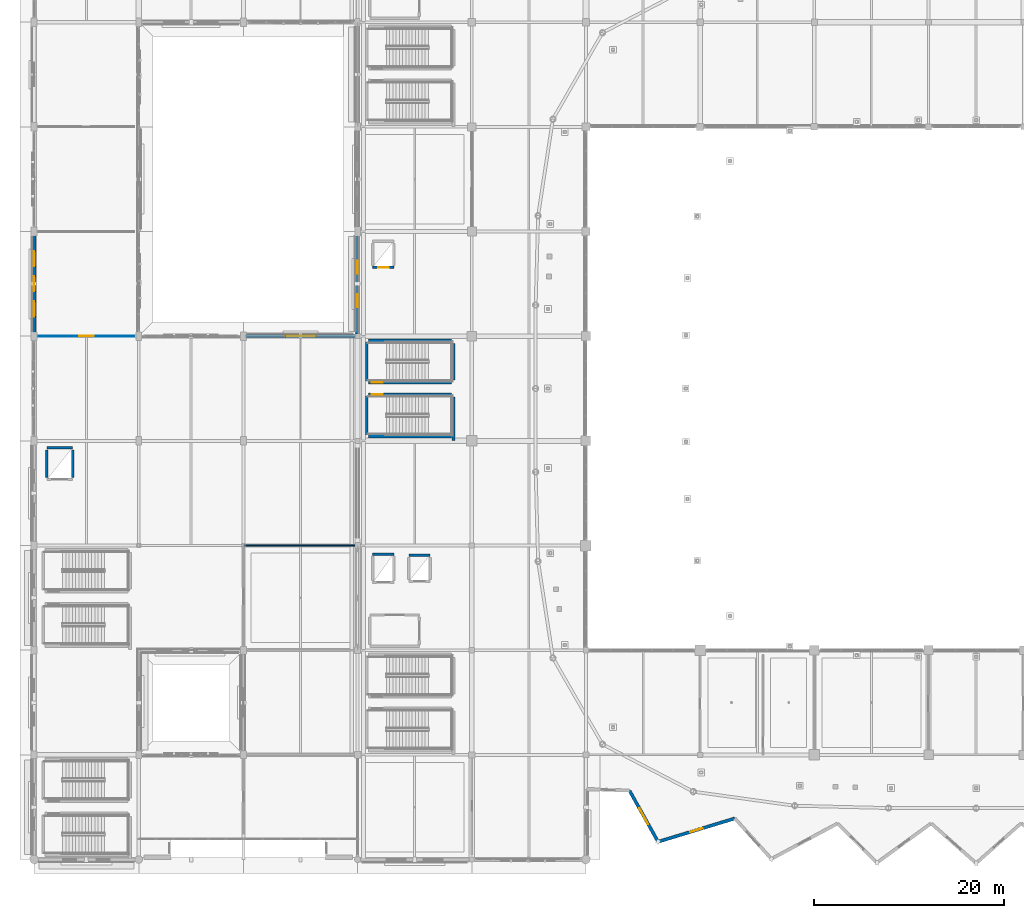
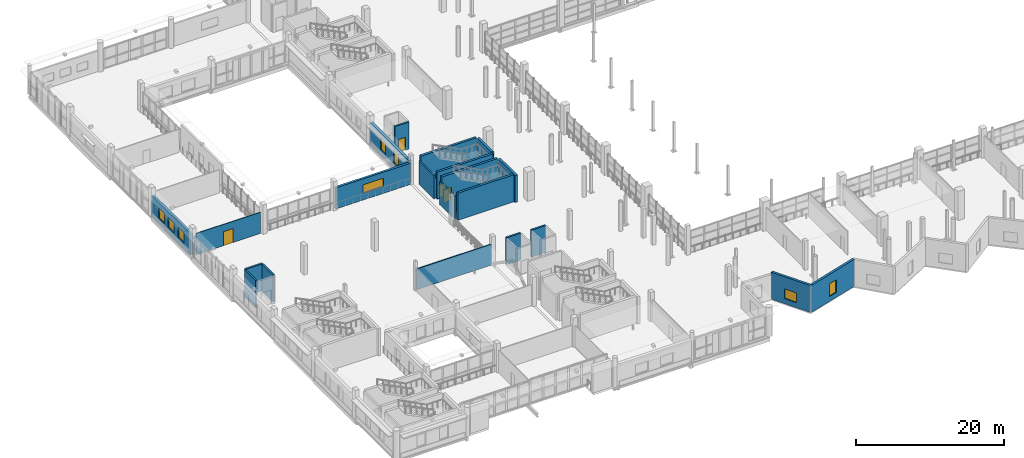
# One storey, part 92 of 143: 21 walls, 8 windows, 4 doors, 12 openings.
"""IFC4 building model written with IfcOpenShell, lengths in metres."""

from ifc_helpers import new_model, si_unit, direction, frame, frame_2d, origin, place, context, subcontext, project, spatial, rectangle, extrude, material, layer, layer_set, type_object, element, fill, save


model = new_model("IFC4")

# Units and contexts
model_context = context("Model", 3, precision=1e-05, world=origin(), true_north=direction((0.0, 1.0)))
body_context = subcontext(model_context, "Body", "Model", "MODEL_VIEW")
ifc_project = project(units=[si_unit("LENGTHUNIT", "METRE"), si_unit("AREAUNIT", "SQUARE_METRE"), si_unit("VOLUMEUNIT", "CUBIC_METRE"), si_unit("PLANEANGLEUNIT", "RADIAN"), si_unit("MASSUNIT", "GRAM", prefix="KILO")], contexts=[model_context])

# Site, building, storey
site_placement = place(None, origin())
site = spatial("IfcSite", under=ifc_project, at=site_placement, CompositionType="ELEMENT")
building_placement = place(site_placement, origin())
building = spatial("IfcBuilding", under=site, at=building_placement, Name="Luwafu Chhajja Arena", CompositionType="ELEMENT")
storey_placement = place(building_placement, frame((0.0, 0.0, 5.39990234375)))
storey = spatial("IfcBuildingStorey", under=building, at=storey_placement, Name="L01", CompositionType="ELEMENT", Elevation=5.39990234375)

# Wall, opening, door
ifc_material_1 = material(Name="Gypsum plasterboard partition")
ifc_layer_1 = layer(ifc_material_1, 0.10009765625, Name="Gypsum plasterboard partition")
ifc_layer_set_1 = layer_set([ifc_layer_1], Name="Gypsum plasterboard partition")
wall_type_1 = type_object("IfcWallType", Name="Drywall Lining Partition 100", PredefinedType="PARTITIONING", material=ifc_layer_set_1)
wall_1_placement = place(storey_placement, frame((0.47998046875, 55.0, 0.0), z_axis=(0.0, 0.0, 1.0), x_axis=(1.0, 0.0, 0.0)))
wall_1 = element("IfcWall", 1, at=wall_1_placement, inside=storey, type_object=wall_type_1, Name="L01 Internal Partition 0215", PredefinedType="PARTITIONING", context=body_context, shape_type="SweptSolid", body=[
    extrude(rectangle(XDim=10.0400390625, YDim=0.10009765625, at=frame_2d((5.02001953125, 0.0))), origin(), (0.0, 0.0, 1.0), 3.489990234375),
])
opening_1_placement = place(wall_1_placement, frame((4.27001953125, 0.0, 0.0)))
opening_1 = element("IfcOpeningElement", 2, at=opening_1_placement, cuts=wall_1, Name="Opening DR-30", PredefinedType="OPENING", context=body_context, shape_type="SweptSolid", body=[
    extrude(rectangle(XDim=1.5, YDim=2.300048828125, at=frame_2d((0.75, 1.14990234375))), frame((0.0, 0.06005859375, 0.0), z_axis=(0.0, -1.0, 0.0), x_axis=(1.0, 0.0, 0.0)), (0.0, 0.0, 1.0), 0.1201171875),
])
ifc_material_2 = material(Name="Anodised bronze glazed double door")
door_type_1 = type_object("IfcDoorType", Name="DR-30", OperationType="DOUBLE_DOOR_SINGLE_SWING", PredefinedType="DOOR", material=ifc_material_2)
door_1_placement = place(opening_1_placement, origin())
door_1 = element("IfcDoor", 3, at=door_1_placement, inside=storey, type_object=door_type_1, Name="L01 Interior Door L01-D029", OperationType="DOUBLE_DOOR_SINGLE_SWING", OverallHeight=2.300048828125, OverallWidth=1.5, PredefinedType="DOOR", context=body_context, shape_type="SweptSolid", body=[
    extrude(rectangle(XDim=1.5, YDim=2.300048828125, at=frame_2d((0.75, 1.14990234375))), frame((0.0, 0.02490234375, 0.0), z_axis=(0.0, -1.0, 0.0), x_axis=(1.0, 0.0, 0.0)), (0.0, 0.0, 1.0), 0.050048828125),
])
fill(opening_1, door_1)

# Walls
ifc_material_3 = material(Name="Acoustic metal-stud gypsum board")
ifc_layer_2 = layer(ifc_material_3, 0.1201171875, Name="Acoustic metal-stud gypsum board")
ifc_layer_set_2 = layer_set([ifc_layer_2], Name="Acoustic metal-stud gypsum board")
wall_type_2 = type_object("IfcWallType", Name="Internal Room Partition 120", PredefinedType="PARTITIONING", material=ifc_layer_set_2)
wall_2_placement = place(storey_placement, frame((22.159912109375, 33.0, 0.0), z_axis=(0.0, 0.0, 1.0), x_axis=(1.0, 0.0, 0.0)))
element("IfcWall", 4, at=wall_2_placement, inside=storey, type_object=wall_type_2, Name="L01 Internal Partition 0221", PredefinedType="PARTITIONING", context=body_context, shape_type="SweptSolid", body=[
    extrude(rectangle(XDim=11.6201171875, YDim=0.1201171875, at=frame_2d((5.81005859375, 0.0))), origin(), (0.0, 0.0, 1.0), 3.440185546875),
])
ifc_material_4 = material(Name="Concrete C35/45", Category="concrete")
ifc_layer_3 = layer(ifc_material_4, 0.260009765625, Name="Concrete C35/45")
ifc_layer_set_3 = layer_set([ifc_layer_3], Name="Concrete C35/45")
wall_type_3 = type_object("IfcWallType", Name="Lift and Riser Shaft Wall 260", PredefinedType="SOLIDWALL", material=ifc_layer_set_3)
wall_3_placement = place(storey_placement, frame((35.590087890625, 32.0849609375, 0.0), z_axis=(0.0, 0.0, 1.0), x_axis=(1.0, 0.0, 0.0)))
element("IfcWall", 5, at=wall_3_placement, inside=storey, type_object=wall_type_3, Name="L01 Lift LF-01 Shaft Wall N", PredefinedType="SOLIDWALL", context=body_context, shape_type="SweptSolid", body=[
    extrude(rectangle(XDim=2.219970703125, YDim=0.260009765625, at=frame_2d((1.10986328125, 0.0))), origin(), (0.0, 0.0, 1.0), 4.460205078125),
])
wall_4_placement = place(storey_placement, frame((39.389892578125, 31.9599609375, 0.0), z_axis=(0.0, 0.0, 1.0), x_axis=(1.0, 0.0, 0.0)))
element("IfcWall", 6, at=wall_4_placement, inside=storey, type_object=wall_type_3, Name="L01 Lift LF-05 Shaft Wall N", PredefinedType="SOLIDWALL", context=body_context, shape_type="SweptSolid", body=[
    extrude(rectangle(XDim=2.22021484375, YDim=0.260009765625, at=frame_2d((1.110107421875, 0.0))), origin(), (0.0, 0.0, 1.0), 4.460205078125),
])

# Wall, opening, door
wall_5_placement = place(storey_placement, frame((35.590087890625, 62.239990234375, 0.0), z_axis=(0.0, 0.0, 1.0), x_axis=(1.0, 0.0, 0.0)))
wall_5 = element("IfcWall", 7, at=wall_5_placement, inside=storey, type_object=wall_type_3, Name="L01 Lift LF-09 Shaft Wall S", PredefinedType="SOLIDWALL", context=body_context, shape_type="SweptSolid", body=[
    extrude(rectangle(XDim=2.219970703125, YDim=0.260009765625, at=frame_2d((1.10986328125, 0.0))), origin(), (0.0, 0.0, 1.0), 4.460205078125),
])
opening_2_placement = place(wall_5_placement, frame((0.56005859375, 0.0, 0.0)))
opening_2 = element("IfcOpeningElement", 8, at=opening_2_placement, cuts=wall_5, Name="Opening LD-01", PredefinedType="OPENING", context=body_context, shape_type="SweptSolid", body=[
    extrude(rectangle(XDim=1.10009765625, YDim=2.14990234375, at=frame_2d((0.550048828125, 1.074951171875))), frame((0.0, 0.139892578125, 0.0), z_axis=(0.0, -1.0, 0.0), x_axis=(1.0, 0.0, 0.0)), (0.0, 0.0, 1.0), 0.280029296875),
])
ifc_material_5 = material(Name="Brushed stainless steel sliding leaves", Category="steel")
door_type_2 = type_object("IfcDoorType", Name="LD-01", OperationType="SLIDING_TO_LEFT", PredefinedType="DOOR", material=ifc_material_5)
door_2_placement = place(opening_2_placement, origin())
door_2 = element("IfcDoor", 9, at=door_2_placement, inside=storey, type_object=door_type_2, Name="L01 Lift LF-09 Landing Door L01-LD09", OperationType="SLIDING_TO_LEFT", OverallHeight=2.14990234375, OverallWidth=1.10009765625, PredefinedType="DOOR", context=body_context, shape_type="SweptSolid", body=[
    extrude(rectangle(XDim=1.10009765625, YDim=2.14990234375, at=frame_2d((0.550048828125, 1.074951171875))), frame((0.0, 0.02490234375, 0.0), z_axis=(0.0, -1.0, 0.0), x_axis=(1.0, 0.0, 0.0)), (0.0, 0.0, 1.0), 0.050048828125),
])
fill(opening_2, door_2)

# Walls
wall_6_placement = place(storey_placement, frame((1.340087890625, 43.260009765625, 0.0), z_axis=(0.0, 0.0, 1.0), x_axis=(1.0, 0.0, 0.0)))
element("IfcWall", 10, at=wall_6_placement, inside=storey, type_object=wall_type_3, Name="L01 Lift LF-11 Shaft Wall N", PredefinedType="SOLIDWALL", context=body_context, shape_type="SweptSolid", body=[
    extrude(rectangle(XDim=2.719970703125, YDim=0.260009765625, at=frame_2d((1.35986328125, 0.0))), origin(), (0.0, 0.0, 1.0), 4.460205078125),
])
for number, where, z_axis, x_axis, name in (
    (11, (1.340087890625, 40.139892578125, 0.0), (0.0, 0.0, 1.0), (0.0, 1.0, 0.0), "L01 Lift LF-11 Shaft Wall W"),
    (12, (4.06005859375, 40.139892578125, 0.0), (0.0, 0.0, 1.0), (0.0, 1.0, 0.0), "L01 Lift LF-11 Shaft Wall E"),
):
    element("IfcWall", number, at=place(storey_placement, frame(where, z_axis=z_axis, x_axis=x_axis)), inside=storey, type_object=wall_type_3, Name=name, PredefinedType="SOLIDWALL", context=body_context, shape_type="SweptSolid", body=[
        extrude(rectangle(XDim=2.920166015625, YDim=0.260009765625, at=frame_2d((1.4599609375, 0.0))), origin(), (0.0, 0.0, 1.0), 4.460205078125),
    ])

# Wall, opening, window
ifc_material_6 = material(Name="Precast concrete C40/50", Category="concrete")
ifc_layer_4 = layer(ifc_material_6, 0.340087890625, Name="Precast concrete C40/50")
ifc_layer_set_4 = layer_set([ifc_layer_4], Name="Precast concrete C40/50")
wall_type_4 = type_object("IfcWallType", Name="Pleated Bowl V-Fold Wall 340", PredefinedType="USERDEFINED", material=ifc_layer_set_4)
wall_7_placement = place(storey_placement, frame((62.57421875, 7.23681640625, 0.0), z_axis=(0.0, 0.0, 1.0), x_axis=(0.487306352228, -0.87323108, 0.0)))
wall_7 = element("IfcWall", 13, at=wall_7_placement, inside=storey, type_object=wall_type_4, Name="L01 Pleated Bowl V-Fold Wall 42", ObjectType="PLEATED FACADE WALL", PredefinedType="USERDEFINED", context=body_context, shape_type="SweptSolid", body=[
    extrude(rectangle(XDim=6.15283203125, YDim=0.340087890625, at=frame_2d((3.076416015625, 0.0))), origin(), (0.0, 0.0, 1.0), 4.455078125),
])
opening_3_placement = place(wall_7_placement, frame((2.12646484375, 0.0, 0.85009765625)))
opening_3 = element("IfcOpeningElement", 14, at=opening_3_placement, cuts=wall_7, Name="Opening WN-15", PredefinedType="OPENING", context=body_context, shape_type="SweptSolid", body=[
    extrude(rectangle(XDim=1.89990234375, YDim=1.60009765625, at=frame_2d((0.949951171875, 0.800048828125))), frame((0.0, 0.179931640625, 0.0), z_axis=(0.0, -1.0, 0.0), x_axis=(1.0, 0.0, 0.0)), (0.0, 0.0, 1.0), 0.360107421875),
])
ifc_material_7 = material(Name="Solar-control laminated glass", Category="glass")
window_type_1 = type_object("IfcWindowType", Name="Pleated Drum Inward-Fold Clerestory 1900x1600", PartitioningType="SINGLE_PANEL", PredefinedType="WINDOW", material=ifc_material_7)
window_1_placement = place(opening_3_placement, origin())
window_1 = element("IfcWindow", 15, at=window_1_placement, inside=storey, type_object=window_type_1, Name="L01 Pleated Bowl Lancet Window 004", OverallHeight=1.60009765625, OverallWidth=1.89990234375, PartitioningType="SINGLE_PANEL", PredefinedType="WINDOW", context=body_context, shape_type="SweptSolid", body=[
    extrude(rectangle(XDim=1.89990234375, YDim=1.60009765625, at=frame_2d((0.949951171875, 0.800048828125))), frame((0.0, 0.030029296875, 0.0), z_axis=(0.0, -1.0, 0.0), x_axis=(1.0, 0.0, 0.0)), (0.0, 0.0, 1.0), 0.06005859375),
])
fill(opening_3, window_1)

wall_8_placement = place(storey_placement, frame((65.572509765625, 1.864013671875, 0.0), z_axis=(0.0, 0.0, 1.0), x_axis=(0.956738407321, 0.290949514446, 0.0)))
wall_8 = element("IfcWall", 16, at=wall_8_placement, inside=storey, type_object=wall_type_4, Name="L01 Pleated Bowl V-Fold Wall 43", ObjectType="PLEATED FACADE WALL", PredefinedType="USERDEFINED", context=body_context, shape_type="SweptSolid", body=[
    extrude(rectangle(XDim=8.427978515625, YDim=0.340087890625, at=frame_2d((4.2138671875, 0.0))), origin(), (0.0, 0.0, 1.0), 4.455078125),
])
opening_4_placement = place(wall_8_placement, frame((3.5390625, 0.0, 0.800048828125)))
opening_4 = element("IfcOpeningElement", 17, at=opening_4_placement, cuts=wall_8, Name="Opening WN-17", PredefinedType="OPENING", context=body_context, shape_type="SweptSolid", body=[
    extrude(rectangle(XDim=1.35009765625, YDim=2.10009765625, at=frame_2d((0.675048828125, 1.050048828125))), frame((0.0, 0.179931640625, 0.0), z_axis=(0.0, -1.0, 0.0), x_axis=(1.0, 0.0, 0.0)), (0.0, 0.0, 1.0), 0.360107421875),
])
window_type_2 = type_object("IfcWindowType", Name="Exhibition Mezzanine Lancet Window 1350x2100", PartitioningType="SINGLE_PANEL", PredefinedType="WINDOW", material=ifc_material_7)
window_2_placement = place(opening_4_placement, origin())
window_2 = element("IfcWindow", 18, at=window_2_placement, inside=storey, type_object=window_type_2, Name="L01 Pleated Bowl Lancet Window 005", OverallHeight=2.10009765625, OverallWidth=1.35009765625, PartitioningType="SINGLE_PANEL", PredefinedType="WINDOW", context=body_context, shape_type="SweptSolid", body=[
    extrude(rectangle(XDim=1.35009765625, YDim=2.10009765625, at=frame_2d((0.675048828125, 1.050048828125))), frame((0.0, 0.030029296875, 0.0), z_axis=(0.0, -1.0, 0.0), x_axis=(1.0, 0.0, 0.0)), (0.0, 0.0, 1.0), 0.06005859375),
])
fill(opening_4, window_2)

# Walls
ifc_material_8 = material(Name="Concrete C40/50", Category="concrete")
ifc_layer_5 = layer(ifc_material_8, 0.35009765625, Name="Concrete C40/50")
ifc_layer_set_5 = layer_set([ifc_layer_5], Name="Concrete C40/50")
wall_type_5 = type_object("IfcWallType", Name="RC Core Shear Wall 350", PredefinedType="SOLIDWALL", material=ifc_layer_set_5)
wall_9_placement = place(storey_placement, frame((44.072021484375, 44.050048828125, 0.0), z_axis=(0.0, 0.0, 1.0), x_axis=(0.0, 1.0, 0.0)))
element("IfcWall", 19, at=wall_9_placement, inside=storey, type_object=wall_type_5, Name="L01 Stair ST-09 Core Shear Wall E", PredefinedType="SOLIDWALL", context=body_context, shape_type="SweptSolid", body=[
    extrude(rectangle(XDim=4.5400390625, YDim=0.35009765625, at=frame_2d((2.27001953125, 0.0))), origin(), (0.0, 0.0, 1.0), 4.460205078125),
])
wall_10_placement = place(storey_placement, frame((35.14990234375, 44.47802734375, 0.0), z_axis=(0.0, 0.0, 1.0), x_axis=(1.0, 0.0, 0.0)))
element("IfcWall", 20, at=wall_10_placement, inside=storey, type_object=wall_type_5, Name="L01 Stair ST-09 Core Shear Wall S", PredefinedType="SOLIDWALL", context=body_context, shape_type="SweptSolid", body=[
    extrude(rectangle(XDim=8.7001953125, YDim=0.35009765625, at=frame_2d((4.35009765625, 0.0))), origin(), (0.0, 0.0, 1.0), 4.460205078125),
])

# Wall, opening, door
wall_11_placement = place(storey_placement, frame((35.14990234375, 48.862060546875, 0.0), z_axis=(0.0, 0.0, 1.0), x_axis=(1.0, 0.0, 0.0)))
wall_11 = element("IfcWall", 21, at=wall_11_placement, inside=storey, type_object=wall_type_5, Name="L01 Stair ST-09 Core Shear Wall N", PredefinedType="SOLIDWALL", context=body_context, shape_type="SweptSolid", body=[
    extrude(rectangle(XDim=8.7001953125, YDim=0.35009765625, at=frame_2d((4.35009765625, 0.0))), origin(), (0.0, 0.0, 1.0), 4.460205078125),
])
opening_5_placement = place(wall_11_placement, frame((0.35009765625, 0.0, 0.0)))
opening_5 = element("IfcOpeningElement", 22, at=opening_5_placement, cuts=wall_11, Name="Opening DR-06", PredefinedType="OPENING", context=body_context, shape_type="SweptSolid", body=[
    extrude(rectangle(XDim=1.14990234375, YDim=2.199951171875, at=frame_2d((0.574951171875, 1.10009765625))), frame((0.0, 0.18505859375, 0.0), z_axis=(0.0, -1.0, 0.0), x_axis=(1.0, 0.0, 0.0)), (0.0, 0.0, 1.0), 0.3701171875),
])
ifc_material_9 = material(Name="Fire-rated hardwood and steel core", Category="steel")
door_type_3 = type_object("IfcDoorType", Name="DR-06", OperationType="NOTDEFINED", PredefinedType="DOOR", material=ifc_material_9)
door_3_placement = place(opening_5_placement, origin())
door_3 = element("IfcDoor", 23, at=door_3_placement, inside=storey, type_object=door_type_3, Name="L01 Escape Stair ST-09 Fire Door L01-D017", OperationType="SINGLE_SWING_RIGHT", OverallHeight=2.199951171875, OverallWidth=1.14990234375, PredefinedType="DOOR", context=body_context, shape_type="SweptSolid", body=[
    extrude(rectangle(XDim=1.14990234375, YDim=2.199951171875, at=frame_2d((0.574951171875, 1.10009765625))), frame((0.0, 0.02490234375, 0.0), z_axis=(0.0, -1.0, 0.0), x_axis=(1.0, 0.0, 0.0)), (0.0, 0.0, 1.0), 0.050048828125),
])
fill(opening_5, door_3)

# Wall
wall_12_placement = place(storey_placement, frame((44.072021484375, 50.409912109375, 0.0), z_axis=(0.0, 0.0, 1.0), x_axis=(0.0, 1.0, 0.0)))
element("IfcWall", 24, at=wall_12_placement, inside=storey, type_object=wall_type_5, Name="L01 Stair ST-10 Core Shear Wall E", PredefinedType="SOLIDWALL", context=body_context, shape_type="SweptSolid", body=[
    extrude(rectangle(XDim=3.840087890625, YDim=0.35009765625, at=frame_2d((1.919921875, 0.0))), origin(), (0.0, 0.0, 1.0), 4.460205078125),
])

# Wall, opening, door
wall_13_placement = place(storey_placement, frame((35.14990234375, 50.137939453125, 0.0), z_axis=(0.0, 0.0, 1.0), x_axis=(1.0, 0.0, 0.0)))
wall_13 = element("IfcWall", 25, at=wall_13_placement, inside=storey, type_object=wall_type_5, Name="L01 Stair ST-10 Core Shear Wall S", PredefinedType="SOLIDWALL", context=body_context, shape_type="SweptSolid", body=[
    extrude(rectangle(XDim=8.7001953125, YDim=0.35009765625, at=frame_2d((4.35009765625, 0.0))), origin(), (0.0, 0.0, 1.0), 4.460205078125),
])
opening_6_placement = place(wall_13_placement, frame((0.35009765625, 0.0, 0.0)))
opening_6 = element("IfcOpeningElement", 26, at=opening_6_placement, cuts=wall_13, Name="Opening DR-06", PredefinedType="OPENING", context=body_context, shape_type="SweptSolid", body=[
    extrude(rectangle(XDim=1.14990234375, YDim=2.199951171875, at=frame_2d((0.574951171875, 1.10009765625))), frame((0.0, 0.18505859375, 0.0), z_axis=(0.0, -1.0, 0.0), x_axis=(1.0, 0.0, 0.0)), (0.0, 0.0, 1.0), 0.3701171875),
])
door_4_placement = place(opening_6_placement, origin())
door_4 = element("IfcDoor", 27, at=door_4_placement, inside=storey, type_object=door_type_3, Name="L01 Escape Stair ST-10 Fire Door L01-D018", OperationType="SINGLE_SWING_LEFT", OverallHeight=2.199951171875, OverallWidth=1.14990234375, PredefinedType="DOOR", context=body_context, shape_type="SweptSolid", body=[
    extrude(rectangle(XDim=1.14990234375, YDim=2.199951171875, at=frame_2d((0.574951171875, 1.10009765625))), frame((0.0, 0.02490234375, 0.0), z_axis=(0.0, -1.0, 0.0), x_axis=(1.0, 0.0, 0.0)), (0.0, 0.0, 1.0), 0.050048828125),
])
fill(opening_6, door_4)

# Wall
wall_14_placement = place(storey_placement, frame((35.14990234375, 54.52197265625, 0.0), z_axis=(0.0, 0.0, 1.0), x_axis=(1.0, 0.0, 0.0)))
element("IfcWall", 28, at=wall_14_placement, inside=storey, type_object=wall_type_5, Name="L01 Stair ST-10 Core Shear Wall N", PredefinedType="SOLIDWALL", context=body_context, shape_type="SweptSolid", body=[
    extrude(rectangle(XDim=8.7001953125, YDim=0.35009765625, at=frame_2d((4.35009765625, 0.0))), origin(), (0.0, 0.0, 1.0), 4.460205078125),
])

# Wall, openings, windows
ifc_layer_6 = layer(ifc_material_8, 0.39990234375, Name="Concrete C40/50")
ifc_layer_set_6 = layer_set([ifc_layer_6], Name="Concrete C40/50")
wall_type_6 = type_object("IfcWallType", Name="RC Core Shear Wall 400", PredefinedType="SOLIDWALL", material=ifc_layer_set_6)
wall_15_placement = place(storey_placement, frame((34.0, 55.2099609375, 0.0), z_axis=(0.0, 0.0, 1.0), x_axis=(0.0, 1.0, 0.0)))
wall_15 = element("IfcWall", 29, at=wall_15_placement, inside=storey, type_object=wall_type_6, Name="L01 Exterior Wall WEX-L01-120", PredefinedType="SOLIDWALL", context=body_context, shape_type="SweptSolid", body=[
    extrude(rectangle(XDim=10.570068359375, YDim=0.39990234375, at=frame_2d((5.28515625, 0.0))), origin(), (0.0, 0.0, 1.0), 3.64013671875),
])
opening_7_placement = place(wall_15_placement, frame((2.848388671875, 0.0, 0.800048828125)))
opening_7 = element("IfcOpeningElement", 30, at=opening_7_placement, cuts=wall_15, Name="Opening WN-17", PredefinedType="OPENING", context=body_context, shape_type="SweptSolid", body=[
    extrude(rectangle(XDim=1.35009765625, YDim=2.10009765625, at=frame_2d((0.675048828125, 1.050048828125))), frame((0.0, 0.2099609375, 0.0), z_axis=(0.0, -1.0, 0.0), x_axis=(1.0, 0.0, 0.0)), (0.0, 0.0, 1.0), 0.419921875),
])
opening_8_placement = place(wall_15_placement, frame((6.37158203125, 0.0, 0.800048828125)))
opening_8 = element("IfcOpeningElement", 31, at=opening_8_placement, cuts=wall_15, Name="Opening WN-17", PredefinedType="OPENING", context=body_context, shape_type="SweptSolid", body=[
    extrude(rectangle(XDim=1.35009765625, YDim=2.10009765625, at=frame_2d((0.675048828125, 1.050048828125))), frame((0.0, 0.2099609375, 0.0), z_axis=(0.0, -1.0, 0.0), x_axis=(1.0, 0.0, 0.0)), (0.0, 0.0, 1.0), 0.419921875),
])
window_3_placement = place(opening_7_placement, origin())
window_3 = element("IfcWindow", 32, at=window_3_placement, inside=storey, type_object=window_type_2, Name="L01 Facade Window 033", OverallHeight=2.10009765625, OverallWidth=1.35009765625, PartitioningType="SINGLE_PANEL", PredefinedType="WINDOW", context=body_context, shape_type="SweptSolid", body=[
    extrude(rectangle(XDim=1.35009765625, YDim=2.10009765625, at=frame_2d((0.675048828125, 1.050048828125))), frame((0.0, 0.030029296875, 0.0), z_axis=(0.0, -1.0, 0.0), x_axis=(1.0, 0.0, 0.0)), (0.0, 0.0, 1.0), 0.06005859375),
])
fill(opening_7, window_3)
window_4_placement = place(opening_8_placement, origin())
window_4 = element("IfcWindow", 33, at=window_4_placement, inside=storey, type_object=window_type_2, Name="L01 Facade Window 034", OverallHeight=2.10009765625, OverallWidth=1.35009765625, PartitioningType="SINGLE_PANEL", PredefinedType="WINDOW", context=body_context, shape_type="SweptSolid", body=[
    extrude(rectangle(XDim=1.35009765625, YDim=2.10009765625, at=frame_2d((0.675048828125, 1.050048828125))), frame((0.0, 0.030029296875, 0.0), z_axis=(0.0, -1.0, 0.0), x_axis=(1.0, 0.0, 0.0)), (0.0, 0.0, 1.0), 0.06005859375),
])
fill(opening_8, window_4)

ifc_layer_7 = layer(ifc_material_4, 0.360107421875, Name="Concrete C35/45")
ifc_layer_set_7 = layer_set([ifc_layer_7], Name="Concrete C35/45")
wall_type_7 = type_object("IfcWallType", Name="Sandstone Backed Exterior Wall 360", PredefinedType="SOLIDWALL", material=ifc_layer_set_7)
wall_16_placement = place(storey_placement, frame((0.0, 55.219970703125, 0.0), z_axis=(0.0, 0.0, 1.0), x_axis=(0.0, 1.0, 0.0)))
wall_16 = element("IfcWall", 34, at=wall_16_placement, inside=storey, type_object=wall_type_7, Name="L01 Exterior Wall WEX-L01-110", PredefinedType="SOLIDWALL", context=body_context, shape_type="SweptSolid", body=[
    extrude(rectangle(XDim=10.56005859375, YDim=0.360107421875, at=frame_2d((5.280029296875, 0.0))), origin(), (0.0, 0.0, 1.0), 3.489990234375),
])
opening_9_placement = place(wall_16_placement, frame((1.840087890625, 0.0, 0.89990234375)))
opening_9 = element("IfcOpeningElement", 35, at=opening_9_placement, cuts=wall_16, Name="Opening WN-13", PredefinedType="OPENING", context=body_context, shape_type="SweptSolid", body=[
    extrude(rectangle(XDim=1.60009765625, YDim=1.64990234375, at=frame_2d((0.800048828125, 0.824951171875))), frame((0.0, 0.18994140625, 0.0), z_axis=(0.0, -1.0, 0.0), x_axis=(1.0, 0.0, 0.0)), (0.0, 0.0, 1.0), 0.380126953125),
])
opening_10_placement = place(wall_16_placement, frame((4.47998046875, 0.0, 0.89990234375)))
opening_10 = element("IfcOpeningElement", 36, at=opening_10_placement, cuts=wall_16, Name="Opening WN-13", PredefinedType="OPENING", context=body_context, shape_type="SweptSolid", body=[
    extrude(rectangle(XDim=1.60009765625, YDim=1.64990234375, at=frame_2d((0.800048828125, 0.824951171875))), frame((0.0, 0.18994140625, 0.0), z_axis=(0.0, -1.0, 0.0), x_axis=(1.0, 0.0, 0.0)), (0.0, 0.0, 1.0), 0.380126953125),
])
opening_11_placement = place(wall_16_placement, frame((7.1201171875, 0.0, 0.89990234375)))
opening_11 = element("IfcOpeningElement", 37, at=opening_11_placement, cuts=wall_16, Name="Opening WN-13", PredefinedType="OPENING", context=body_context, shape_type="SweptSolid", body=[
    extrude(rectangle(XDim=1.60009765625, YDim=1.64990234375, at=frame_2d((0.800048828125, 0.824951171875))), frame((0.0, 0.18994140625, 0.0), z_axis=(0.0, -1.0, 0.0), x_axis=(1.0, 0.0, 0.0)), (0.0, 0.0, 1.0), 0.380126953125),
])
window_type_3 = type_object("IfcWindowType", Name="Administration Office Window 1600x1650", PartitioningType="SINGLE_PANEL", PredefinedType="WINDOW", material=ifc_material_7)
window_5_placement = place(opening_9_placement, origin())
window_5 = element("IfcWindow", 38, at=window_5_placement, inside=storey, type_object=window_type_3, Name="L01 Facade Window 013", OverallHeight=1.64990234375, OverallWidth=1.60009765625, PartitioningType="SINGLE_PANEL", PredefinedType="WINDOW", context=body_context, shape_type="SweptSolid", body=[
    extrude(rectangle(XDim=1.60009765625, YDim=1.64990234375, at=frame_2d((0.800048828125, 0.824951171875))), frame((0.0, 0.030029296875, 0.0), z_axis=(0.0, -1.0, 0.0), x_axis=(1.0, 0.0, 0.0)), (0.0, 0.0, 1.0), 0.06005859375),
])
fill(opening_9, window_5)
window_6_placement = place(opening_10_placement, origin())
window_6 = element("IfcWindow", 39, at=window_6_placement, inside=storey, type_object=window_type_3, Name="L01 Facade Window 014", OverallHeight=1.64990234375, OverallWidth=1.60009765625, PartitioningType="SINGLE_PANEL", PredefinedType="WINDOW", context=body_context, shape_type="SweptSolid", body=[
    extrude(rectangle(XDim=1.60009765625, YDim=1.64990234375, at=frame_2d((0.800048828125, 0.824951171875))), frame((0.0, 0.030029296875, 0.0), z_axis=(0.0, -1.0, 0.0), x_axis=(1.0, 0.0, 0.0)), (0.0, 0.0, 1.0), 0.06005859375),
])
fill(opening_10, window_6)
window_7_placement = place(opening_11_placement, origin())
window_7 = element("IfcWindow", 40, at=window_7_placement, inside=storey, type_object=window_type_3, Name="L01 Facade Window 015", OverallHeight=1.64990234375, OverallWidth=1.60009765625, PartitioningType="SINGLE_PANEL", PredefinedType="WINDOW", context=body_context, shape_type="SweptSolid", body=[
    extrude(rectangle(XDim=1.60009765625, YDim=1.64990234375, at=frame_2d((0.800048828125, 0.824951171875))), frame((0.0, 0.030029296875, 0.0), z_axis=(0.0, -1.0, 0.0), x_axis=(1.0, 0.0, 0.0)), (0.0, 0.0, 1.0), 0.06005859375),
])
fill(opening_11, window_7)

# Wall, opening, window
wall_17_placement = place(storey_placement, frame((22.219970703125, 55.0, 0.0), z_axis=(0.0, 0.0, 1.0), x_axis=(1.0, 0.0, 0.0)))
wall_17 = element("IfcWall", 41, at=wall_17_placement, inside=storey, type_object=wall_type_7, Name="L01 Exterior Wall WEX-L01-117", PredefinedType="SOLIDWALL", context=body_context, shape_type="SweptSolid", body=[
    extrude(rectangle(XDim=11.570068359375, YDim=0.360107421875, at=frame_2d((5.78515625, 0.0))), origin(), (0.0, 0.0, 1.0), 3.489990234375),
])
opening_12_placement = place(wall_17_placement, frame((4.18505859375, 0.0, 1.10009765625)))
opening_12 = element("IfcOpeningElement", 42, at=opening_12_placement, cuts=wall_17, Name="Opening WN-08", PredefinedType="OPENING", context=body_context, shape_type="SweptSolid", body=[
    extrude(rectangle(XDim=3.199951171875, YDim=1.39990234375, at=frame_2d((1.60009765625, 0.699951171875))), frame((0.0, 0.18994140625, 0.0), z_axis=(0.0, -1.0, 0.0), x_axis=(1.0, 0.0, 0.0)), (0.0, 0.0, 1.0), 0.380126953125),
])
window_type_4 = type_object("IfcWindowType", Name="Warm-Up Court Clerestory Window 3200x1400", PartitioningType="SINGLE_PANEL", PredefinedType="WINDOW", material=ifc_material_7)
window_8_placement = place(opening_12_placement, origin())
window_8 = element("IfcWindow", 43, at=window_8_placement, inside=storey, type_object=window_type_4, Name="L01 Facade Window 029", OverallHeight=1.39990234375, OverallWidth=3.199951171875, PartitioningType="SINGLE_PANEL", PredefinedType="WINDOW", context=body_context, shape_type="SweptSolid", body=[
    extrude(rectangle(XDim=3.199951171875, YDim=1.39990234375, at=frame_2d((1.60009765625, 0.699951171875))), frame((0.0, 0.030029296875, 0.0), z_axis=(0.0, -1.0, 0.0), x_axis=(1.0, 0.0, 0.0)), (0.0, 0.0, 1.0), 0.06005859375),
])
fill(opening_12, window_8)

# Walls
ifc_layer_8 = layer(ifc_material_4, 0.22998046875, Name="Concrete C35/45")
ifc_layer_set_8 = layer_set([ifc_layer_8], Name="Concrete C35/45")
wall_type_8 = type_object("IfcWallType", Name="Stair Enclosure Wall 230", PredefinedType="SOLIDWALL", material=ifc_layer_set_8)
for number, where, z_axis, x_axis, name in (
    (44, (34.9599609375, 44.6298828125, 0.0), (0.0, 0.0, 1.0), (0.0, 1.0, 0.0), "L01 Stair ST-09 Enclosure Wall W"),
    (45, (34.9599609375, 50.2900390625, 0.0), (0.0, 0.0, 1.0), (0.0, 1.0, 0.0), "L01 Stair ST-10 Enclosure Wall W"),
):
    element("IfcWall", number, at=place(storey_placement, frame(where, z_axis=z_axis, x_axis=x_axis)), inside=storey, type_object=wall_type_8, Name=name, PredefinedType="SOLIDWALL", context=body_context, shape_type="SweptSolid", body=[
        extrude(rectangle(XDim=4.080078125, YDim=0.22998046875, at=frame_2d((2.0400390625, 0.0))), origin(), (0.0, 0.0, 1.0), 3.7900390625),
    ])

save(model, "model.ifc")
